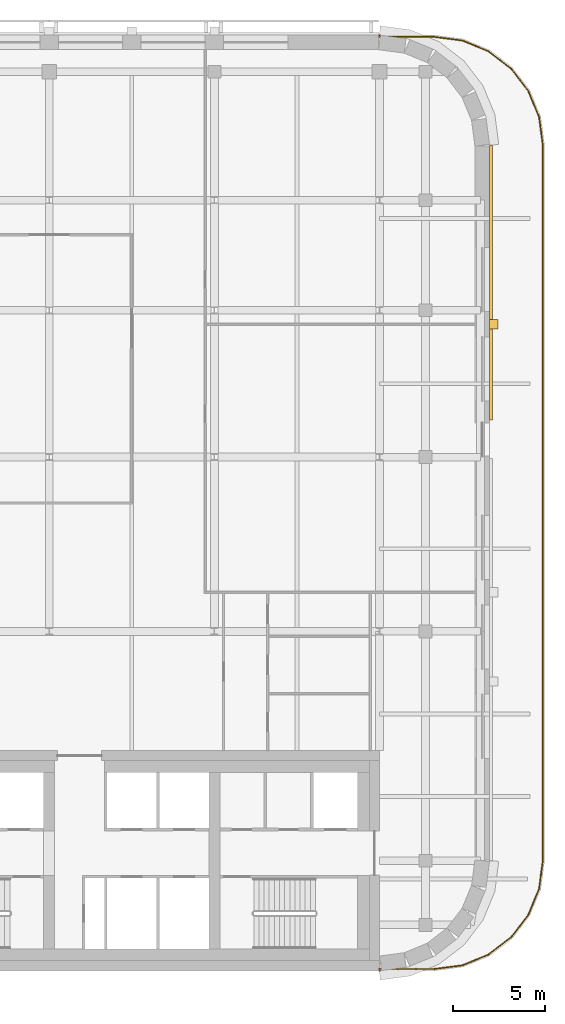
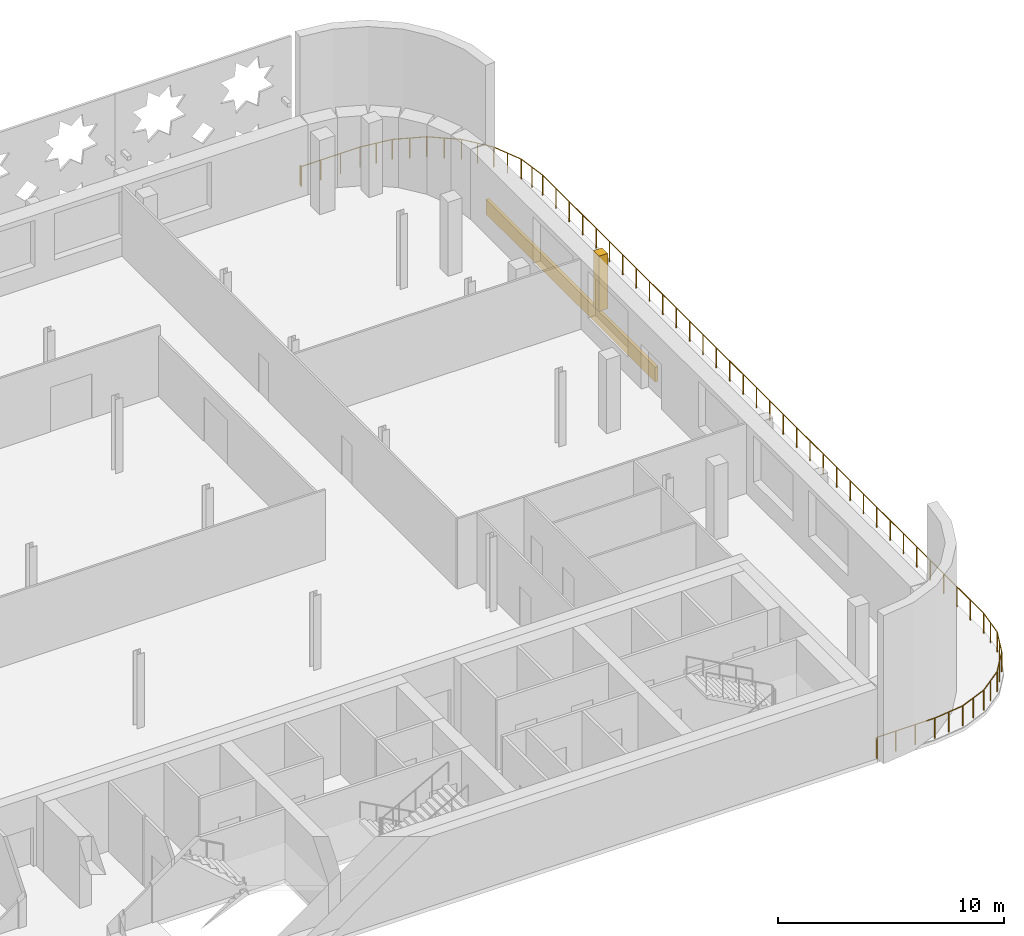
# One storey, part 15 of 15: 2 coverings, 1 railing.
"""IFC4 building model written with IfcOpenShell, lengths in metres."""

from ifc_helpers import new_model, si_unit, direction, frame, origin, origin_2d, place, context, subcontext, project, spatial, polyline, circle, outline, extrude, material, layer, layer_set, type_object, element, save


model = new_model("IFC4")

# Units and contexts
model_context = context("Model", 3, precision=1e-05, world=origin(), true_north=direction((0.0, 1.0)))
body_context = subcontext(model_context, "Body", "Model", "MODEL_VIEW")
ifc_project = project(units=[si_unit("LENGTHUNIT", "METRE"), si_unit("AREAUNIT", "SQUARE_METRE"), si_unit("VOLUMEUNIT", "CUBIC_METRE"), si_unit("PLANEANGLEUNIT", "RADIAN"), si_unit("MASSUNIT", "GRAM", prefix="KILO")], contexts=[model_context])

# Site, building, storey
site_placement = place(None, origin())
site = spatial("IfcSite", under=ifc_project, at=site_placement, CompositionType="ELEMENT")
building_placement = place(site_placement, origin())
building = spatial("IfcBuilding", under=site, at=building_placement, Name="Zellij Exchange Tower", CompositionType="ELEMENT")
storey_placement = place(building_placement, frame((0.0, 0.0, 284.5)))
storey = spatial("IfcBuildingStorey", under=building, at=storey_placement, Name="L67", CompositionType="ELEMENT", Elevation=284.5)

# Coverings
ifc_material_1 = material(Name="Limestone cladding", Category="masonry")
ifc_layer = layer(ifc_material_1, 0.14990234375)
ifc_layer_set = layer_set([ifc_layer], Name="Limestone cladding")
covering_type_1 = type_object("IfcCoveringType", Name="ENV-CV1 Stone spandrel band 150", PredefinedType="CLADDING", material=ifc_layer_set)
covering_1_placement = place(storey_placement, origin())
element("IfcCovering", 1, at=covering_1_placement, inside=storey, type_object=covering_type_1, Name="Stone spandrel band", PredefinedType="CLADDING", context=body_context, shape_type="SweptSolid", body=[
    extrude(outline(polyline([(33.0, 16.018310546875), (33.0, 30.973876953125), (33.14990234375, 30.983642578125), (33.14990234375, 16.018310546875), (33.0, 16.018310546875)])), origin(), (0.0, 0.0, 1.0), 0.800048828125),
])
covering_type_2 = type_object("IfcCoveringType", Name="ENV-CV4 Stone pier 500x450", PredefinedType="CLADDING", material=ifc_material_1)
covering_2_placement = place(storey_placement, frame((0.0, 0.0, 0.800048828125)))
element("IfcCovering", 2, at=covering_2_placement, inside=storey, type_object=covering_type_2, Name="Stone pier", PredefinedType="CLADDING", context=body_context, shape_type="SweptSolid", body=[
    extrude(outline(polyline([(33.0, 20.98681640625), (33.0, 21.48681640625), (33.449951171875, 21.48681640625), (33.449951171875, 20.98681640625), (33.0, 20.98681640625)])), origin(), (0.0, 0.0, 1.0), 2.97998046875),
])

# Railing
ifc_material_2 = material(Name="Bronze-finished aluminium", Category="aluminium")
railing_type = type_object("IfcRailingType", Name="ENV-GR1 Terrace guard", PredefinedType="GUARDRAIL", material=ifc_material_2)
railing_placement = place(storey_placement, frame((27.000732421875, -14.0, 0.0)))
element("IfcRailing", 3, at=railing_placement, inside=storey, type_object=railing_type, Name="Terrace guard", PredefinedType="GUARDRAIL", context=body_context, shape_type="SweptSolid", body=[
    extrude(circle(Radius=0.02490234375, at=origin_2d()), frame((0.0, 0.0, 1.0751953125), z_axis=(0.0, 1.0, 0.0), x_axis=(-1.0, 0.0, 0.0)), (0.0, 0.0, 1.0), 0.10009765625),
    extrude(circle(Radius=0.02490234375, at=origin_2d()), frame((0.0, 0.10009765625, 1.0751953125), z_axis=(1.0, 0.0, 0.0), x_axis=(0.0, 1.0, 0.0)), (0.0, 0.0, 1.0), 2.99267578125),
    extrude(circle(Radius=0.02490234375, at=origin_2d()), frame((2.99267578125, 0.10009765625, 1.0751953125), z_axis=(0.991463426777, 0.130385096405, 0.0), x_axis=(-0.130385096405, 0.991463426777, 0.0)), (0.0, 0.0, 1.0), 1.546630859375),
    extrude(circle(Radius=0.02490234375, at=origin_2d()), frame((4.526123046875, 0.3017578125, 1.0751953125), z_axis=(0.923881586142, 0.382678474425, 0.0), x_axis=(-0.382678474425, 0.923881586142, 0.0)), (0.0, 0.0, 1.0), 1.5400390625),
    extrude(circle(Radius=0.02490234375, at=origin_2d()), frame((5.948974609375, 0.89111328125, 1.0751953125), z_axis=(0.793330694412, 0.608790940556, 0.0), x_axis=(-0.608790940556, 0.793330694412, 0.0)), (0.0, 0.0, 1.0), 1.5400390625),
    extrude(circle(Radius=0.02490234375, at=origin_2d()), frame((7.170654296875, 1.82861328125, 1.0751953125), z_axis=(0.608790940556, 0.793330694412, 0.0), x_axis=(-0.793330694412, 0.608790940556, 0.0)), (0.0, 0.0, 1.0), 1.5400390625),
    extrude(circle(Radius=0.02490234375, at=origin_2d()), frame((8.108154296875, 3.05029296875, 1.0751953125), z_axis=(0.382678474425, 0.923881586142, 0.0), x_axis=(-0.923881586142, 0.382678474425, 0.0)), (0.0, 0.0, 1.0), 1.5400390625),
    extrude(circle(Radius=0.02490234375, at=origin_2d()), frame((8.697509765625, 4.47314453125, 1.0751953125), z_axis=(0.130385096405, 0.991463426777, 0.0), x_axis=(-0.991463426777, 0.130385096405, 0.0)), (0.0, 0.0, 1.0), 1.546630859375),
    extrude(circle(Radius=0.02490234375, at=origin_2d()), frame((8.899169921875, 6.006591796875, 1.0751953125), z_axis=(0.0, 1.0, 0.0), x_axis=(-1.0, 0.0, 0.0)), (0.0, 0.0, 1.0), 38.98681640625),
    extrude(circle(Radius=0.02490234375, at=origin_2d()), frame((8.899169921875, 44.993408203125, 1.0751953125), z_axis=(-0.130385096405, 0.991463426777, 0.0), x_axis=(-0.991463426777, -0.130385096405, 0.0)), (0.0, 0.0, 1.0), 1.546630859375),
    extrude(circle(Radius=0.02490234375, at=origin_2d()), frame((8.697509765625, 46.52685546875, 1.0751953125), z_axis=(-0.382678474425, 0.923881586142, 0.0), x_axis=(-0.923881586142, -0.382678474425, 0.0)), (0.0, 0.0, 1.0), 1.5400390625),
    extrude(circle(Radius=0.02490234375, at=origin_2d()), frame((8.108154296875, 47.94970703125, 1.0751953125), z_axis=(-0.608790940556, 0.793330694412, 0.0), x_axis=(-0.793330694412, -0.608790940556, 0.0)), (0.0, 0.0, 1.0), 1.5400390625),
    extrude(circle(Radius=0.02490234375, at=origin_2d()), frame((7.170654296875, 49.17138671875, 1.0751953125), z_axis=(-0.793330694412, 0.608790940556, 0.0), x_axis=(-0.608790940556, -0.793330694412, 0.0)), (0.0, 0.0, 1.0), 1.5400390625),
    extrude(circle(Radius=0.02490234375, at=origin_2d()), frame((5.948974609375, 50.10888671875, 1.0751953125), z_axis=(-0.923881586142, 0.382678474425, 0.0), x_axis=(-0.382678474425, -0.923881586142, 0.0)), (0.0, 0.0, 1.0), 1.5400390625),
    extrude(circle(Radius=0.02490234375, at=origin_2d()), frame((4.526123046875, 50.6982421875, 1.0751953125), z_axis=(-0.991463426777, 0.130385096405, 0.0), x_axis=(-0.130385096405, -0.991463426777, 0.0)), (0.0, 0.0, 1.0), 1.546630859375),
    extrude(circle(Radius=0.02490234375, at=origin_2d()), frame((2.99267578125, 50.89990234375, 1.0751953125), z_axis=(-1.0, 0.0, 0.0), x_axis=(0.0, -1.0, 0.0)), (0.0, 0.0, 1.0), 2.99267578125),
    extrude(circle(Radius=0.02490234375, at=origin_2d()), frame((0.0, 50.89990234375, 1.0751953125), z_axis=(0.0, 1.0, 0.0), x_axis=(-1.0, 0.0, 0.0)), (0.0, 0.0, 1.0), 0.10009765625),
    extrude(circle(Radius=0.030029296875, at=origin_2d()), origin(), (0.0, 0.0, 1.0), 1.050048828125),
    extrude(circle(Radius=0.030029296875, at=origin_2d()), frame((0.0, 0.10009765625, 0.0)), (0.0, 0.0, 1.0), 1.050048828125),
    extrude(circle(Radius=0.030029296875, at=origin_2d()), frame((0.99755859375, 0.10009765625, 0.0)), (0.0, 0.0, 1.0), 1.050048828125),
    extrude(circle(Radius=0.030029296875, at=origin_2d()), frame((1.9951171875, 0.10009765625, 0.0)), (0.0, 0.0, 1.0), 1.050048828125),
    extrude(circle(Radius=0.030029296875, at=origin_2d()), frame((2.99267578125, 0.10009765625, 0.0)), (0.0, 0.0, 1.0), 1.050048828125),
    extrude(circle(Radius=0.030029296875, at=origin_2d()), frame((3.75927734375, 0.200927734375, 0.0)), (0.0, 0.0, 1.0), 1.050048828125),
    extrude(circle(Radius=0.030029296875, at=origin_2d()), frame((4.526123046875, 0.3017578125, 0.0)), (0.0, 0.0, 1.0), 1.050048828125),
    extrude(circle(Radius=0.030029296875, at=origin_2d()), frame((5.237548828125, 0.596435546875, 0.0)), (0.0, 0.0, 1.0), 1.050048828125),
    extrude(circle(Radius=0.030029296875, at=origin_2d()), frame((5.948974609375, 0.89111328125, 0.0)), (0.0, 0.0, 1.0), 1.050048828125),
    extrude(circle(Radius=0.030029296875, at=origin_2d()), frame((6.559814453125, 1.35986328125, 0.0)), (0.0, 0.0, 1.0), 1.050048828125),
    extrude(circle(Radius=0.030029296875, at=origin_2d()), frame((7.170654296875, 1.82861328125, 0.0)), (0.0, 0.0, 1.0), 1.050048828125),
    extrude(circle(Radius=0.030029296875, at=origin_2d()), frame((7.639404296875, 2.439453125, 0.0)), (0.0, 0.0, 1.0), 1.050048828125),
    extrude(circle(Radius=0.030029296875, at=origin_2d()), frame((8.108154296875, 3.05029296875, 0.0)), (0.0, 0.0, 1.0), 1.050048828125),
    extrude(circle(Radius=0.030029296875, at=origin_2d()), frame((8.40283203125, 3.76171875, 0.0)), (0.0, 0.0, 1.0), 1.050048828125),
    extrude(circle(Radius=0.030029296875, at=origin_2d()), frame((8.697509765625, 4.47314453125, 0.0)), (0.0, 0.0, 1.0), 1.050048828125),
    extrude(circle(Radius=0.030029296875, at=origin_2d()), frame((8.79833984375, 5.23974609375, 0.0)), (0.0, 0.0, 1.0), 1.050048828125),
    extrude(circle(Radius=0.030029296875, at=origin_2d()), frame((8.899169921875, 6.006591796875, 0.0)), (0.0, 0.0, 1.0), 1.050048828125),
    extrude(circle(Radius=0.030029296875, at=origin_2d()), frame((8.899169921875, 7.18798828125, 0.0)), (0.0, 0.0, 1.0), 1.050048828125),
    extrude(circle(Radius=0.030029296875, at=origin_2d()), frame((8.899169921875, 8.369384765625, 0.0)), (0.0, 0.0, 1.0), 1.050048828125),
    extrude(circle(Radius=0.030029296875, at=origin_2d()), frame((8.899169921875, 9.55078125, 0.0)), (0.0, 0.0, 1.0), 1.050048828125),
    extrude(circle(Radius=0.030029296875, at=origin_2d()), frame((8.899169921875, 10.732177734375, 0.0)), (0.0, 0.0, 1.0), 1.050048828125),
    extrude(circle(Radius=0.030029296875, at=origin_2d()), frame((8.899169921875, 11.91357421875, 0.0)), (0.0, 0.0, 1.0), 1.050048828125),
    extrude(circle(Radius=0.030029296875, at=origin_2d()), frame((8.899169921875, 13.09521484375, 0.0)), (0.0, 0.0, 1.0), 1.050048828125),
    extrude(circle(Radius=0.030029296875, at=origin_2d()), frame((8.899169921875, 14.276611328125, 0.0)), (0.0, 0.0, 1.0), 1.050048828125),
    extrude(circle(Radius=0.030029296875, at=origin_2d()), frame((8.899169921875, 15.4580078125, 0.0)), (0.0, 0.0, 1.0), 1.050048828125),
    extrude(circle(Radius=0.030029296875, at=origin_2d()), frame((8.899169921875, 16.639404296875, 0.0)), (0.0, 0.0, 1.0), 1.050048828125),
    extrude(circle(Radius=0.030029296875, at=origin_2d()), frame((8.899169921875, 17.82080078125, 0.0)), (0.0, 0.0, 1.0), 1.050048828125),
    extrude(circle(Radius=0.030029296875, at=origin_2d()), frame((8.899169921875, 19.002197265625, 0.0)), (0.0, 0.0, 1.0), 1.050048828125),
    extrude(circle(Radius=0.030029296875, at=origin_2d()), frame((8.899169921875, 20.18359375, 0.0)), (0.0, 0.0, 1.0), 1.050048828125),
    extrude(circle(Radius=0.030029296875, at=origin_2d()), frame((8.899169921875, 21.364990234375, 0.0)), (0.0, 0.0, 1.0), 1.050048828125),
    extrude(circle(Radius=0.030029296875, at=origin_2d()), frame((8.899169921875, 22.54638671875, 0.0)), (0.0, 0.0, 1.0), 1.050048828125),
    extrude(circle(Radius=0.030029296875, at=origin_2d()), frame((8.899169921875, 23.727783203125, 0.0)), (0.0, 0.0, 1.0), 1.050048828125),
    extrude(circle(Radius=0.030029296875, at=origin_2d()), frame((8.899169921875, 24.9091796875, 0.0)), (0.0, 0.0, 1.0), 1.050048828125),
    extrude(circle(Radius=0.030029296875, at=origin_2d()), frame((8.899169921875, 26.0908203125, 0.0)), (0.0, 0.0, 1.0), 1.050048828125),
    extrude(circle(Radius=0.030029296875, at=origin_2d()), frame((8.899169921875, 27.272216796875, 0.0)), (0.0, 0.0, 1.0), 1.050048828125),
    extrude(circle(Radius=0.030029296875, at=origin_2d()), frame((8.899169921875, 28.45361328125, 0.0)), (0.0, 0.0, 1.0), 1.050048828125),
    extrude(circle(Radius=0.030029296875, at=origin_2d()), frame((8.899169921875, 29.635009765625, 0.0)), (0.0, 0.0, 1.0), 1.050048828125),
    extrude(circle(Radius=0.030029296875, at=origin_2d()), frame((8.899169921875, 30.81640625, 0.0)), (0.0, 0.0, 1.0), 1.050048828125),
    extrude(circle(Radius=0.030029296875, at=origin_2d()), frame((8.899169921875, 31.997802734375, 0.0)), (0.0, 0.0, 1.0), 1.050048828125),
    extrude(circle(Radius=0.030029296875, at=origin_2d()), frame((8.899169921875, 33.17919921875, 0.0)), (0.0, 0.0, 1.0), 1.050048828125),
    extrude(circle(Radius=0.030029296875, at=origin_2d()), frame((8.899169921875, 34.360595703125, 0.0)), (0.0, 0.0, 1.0), 1.050048828125),
    extrude(circle(Radius=0.030029296875, at=origin_2d()), frame((8.899169921875, 35.5419921875, 0.0)), (0.0, 0.0, 1.0), 1.050048828125),
    extrude(circle(Radius=0.030029296875, at=origin_2d()), frame((8.899169921875, 36.723388671875, 0.0)), (0.0, 0.0, 1.0), 1.050048828125),
    extrude(circle(Radius=0.030029296875, at=origin_2d()), frame((8.899169921875, 37.90478515625, 0.0)), (0.0, 0.0, 1.0), 1.050048828125),
    extrude(circle(Radius=0.030029296875, at=origin_2d()), frame((8.899169921875, 39.08642578125, 0.0)), (0.0, 0.0, 1.0), 1.050048828125),
    extrude(circle(Radius=0.030029296875, at=origin_2d()), frame((8.899169921875, 40.267822265625, 0.0)), (0.0, 0.0, 1.0), 1.050048828125),
    extrude(circle(Radius=0.030029296875, at=origin_2d()), frame((8.899169921875, 41.44921875, 0.0)), (0.0, 0.0, 1.0), 1.050048828125),
    extrude(circle(Radius=0.030029296875, at=origin_2d()), frame((8.899169921875, 42.630615234375, 0.0)), (0.0, 0.0, 1.0), 1.050048828125),
    extrude(circle(Radius=0.030029296875, at=origin_2d()), frame((8.899169921875, 43.81201171875, 0.0)), (0.0, 0.0, 1.0), 1.050048828125),
    extrude(circle(Radius=0.030029296875, at=origin_2d()), frame((8.899169921875, 44.993408203125, 0.0)), (0.0, 0.0, 1.0), 1.050048828125),
    extrude(circle(Radius=0.030029296875, at=origin_2d()), frame((8.79833984375, 45.76025390625, 0.0)), (0.0, 0.0, 1.0), 1.050048828125),
    extrude(circle(Radius=0.030029296875, at=origin_2d()), frame((8.697509765625, 46.52685546875, 0.0)), (0.0, 0.0, 1.0), 1.050048828125),
    extrude(circle(Radius=0.030029296875, at=origin_2d()), frame((8.40283203125, 47.23828125, 0.0)), (0.0, 0.0, 1.0), 1.050048828125),
    extrude(circle(Radius=0.030029296875, at=origin_2d()), frame((8.108154296875, 47.94970703125, 0.0)), (0.0, 0.0, 1.0), 1.050048828125),
    extrude(circle(Radius=0.030029296875, at=origin_2d()), frame((7.639404296875, 48.560546875, 0.0)), (0.0, 0.0, 1.0), 1.050048828125),
    extrude(circle(Radius=0.030029296875, at=origin_2d()), frame((7.170654296875, 49.17138671875, 0.0)), (0.0, 0.0, 1.0), 1.050048828125),
    extrude(circle(Radius=0.030029296875, at=origin_2d()), frame((6.559814453125, 49.64013671875, 0.0)), (0.0, 0.0, 1.0), 1.050048828125),
    extrude(circle(Radius=0.030029296875, at=origin_2d()), frame((5.948974609375, 50.10888671875, 0.0)), (0.0, 0.0, 1.0), 1.050048828125),
    extrude(circle(Radius=0.030029296875, at=origin_2d()), frame((5.237548828125, 50.403564453125, 0.0)), (0.0, 0.0, 1.0), 1.050048828125),
    extrude(circle(Radius=0.030029296875, at=origin_2d()), frame((4.526123046875, 50.6982421875, 0.0)), (0.0, 0.0, 1.0), 1.050048828125),
    extrude(circle(Radius=0.030029296875, at=origin_2d()), frame((3.75927734375, 50.799072265625, 0.0)), (0.0, 0.0, 1.0), 1.050048828125),
    extrude(circle(Radius=0.030029296875, at=origin_2d()), frame((2.99267578125, 50.89990234375, 0.0)), (0.0, 0.0, 1.0), 1.050048828125),
    extrude(circle(Radius=0.030029296875, at=origin_2d()), frame((1.9951171875, 50.89990234375, 0.0)), (0.0, 0.0, 1.0), 1.050048828125),
    extrude(circle(Radius=0.030029296875, at=origin_2d()), frame((0.99755859375, 50.89990234375, 0.0)), (0.0, 0.0, 1.0), 1.050048828125),
    extrude(circle(Radius=0.030029296875, at=origin_2d()), frame((0.0, 50.89990234375, 0.0)), (0.0, 0.0, 1.0), 1.050048828125),
    extrude(circle(Radius=0.030029296875, at=origin_2d()), frame((0.0, 51.0, 0.0)), (0.0, 0.0, 1.0), 1.050048828125),
])

save(model, "model.ifc")
